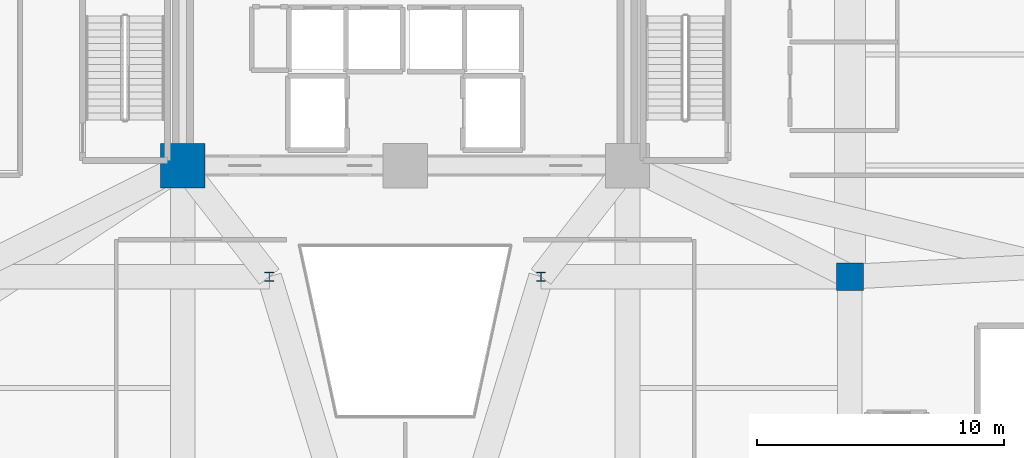
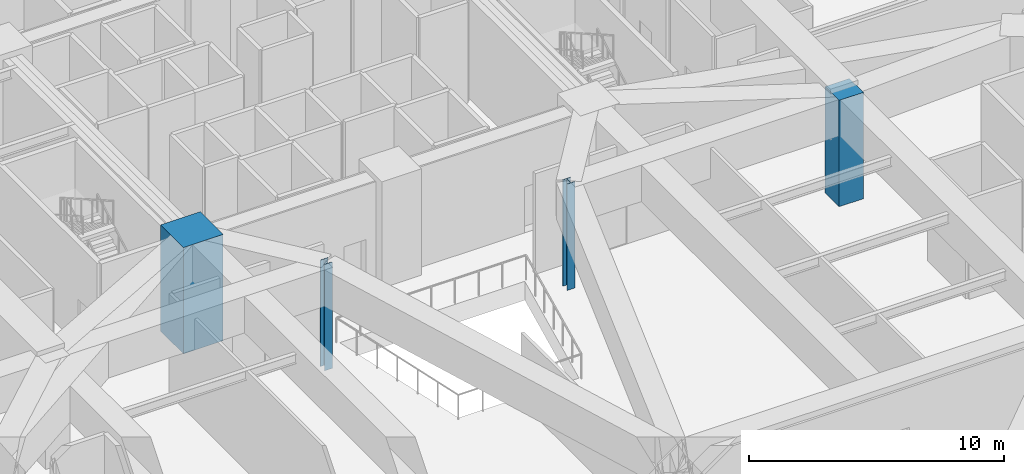
# One storey, part 2 of 14: 4 columns.
"""IFC4 building model written with IfcOpenShell, lengths in metres."""

from ifc_helpers import new_model, si_unit, direction, frame, origin, origin_2d, place, context, subcontext, project, spatial, rectangle, i_section, extrude, source, transform, mapped, material, material_profile, profile_set, type_object, element, save


model = new_model("IFC4")

# Units and contexts
model_context = context("Model", 3, precision=1e-05, world=origin(), true_north=direction((0.0, 1.0)))
body_context = subcontext(model_context, "Body", "Model", "MODEL_VIEW")
ifc_project = project(units=[si_unit("LENGTHUNIT", "METRE"), si_unit("AREAUNIT", "SQUARE_METRE"), si_unit("VOLUMEUNIT", "CUBIC_METRE"), si_unit("PLANEANGLEUNIT", "RADIAN"), si_unit("MASSUNIT", "GRAM", prefix="KILO")], contexts=[model_context])

# Site, building, storey
site_placement = place(None, origin())
site = spatial("IfcSite", under=ifc_project, at=site_placement, CompositionType="ELEMENT")
building_placement = place(site_placement, origin())
building = spatial("IfcBuilding", under=site, at=building_placement, Name="Liaohun Quay Tower", CompositionType="ELEMENT")
storey_placement = place(building_placement, frame((0.0, 0.0, 23.39990234375)))
storey = spatial("IfcBuildingStorey", under=building, at=storey_placement, Name="L06", CompositionType="ELEMENT", Elevation=23.39990234375)

# Columns
ifc_material_1 = material(Name="Concrete C60", Category="concrete")
ifc_material_profile_1 = material_profile(ifc_material_1, rectangle(XDim=1.800048828125, YDim=1.800048828125, at=origin_2d()), Name="RC1800x1800")
ifc_profile_set_1 = profile_set([ifc_material_profile_1], Name="Concrete C60")
column_type_1 = type_object("IfcColumnType", Name="COL-CC-B", PredefinedType="COLUMN", material=ifc_profile_set_1)
shared_shape_1 = source(origin(), body_context, "Body", "SweptSolid", [
    extrude(rectangle(XDim=1.800048828125, YDim=1.800048828125, at=origin_2d()), origin(), (0.0, 0.0, 1.0), 5.10009765625),
])
column_1_placement = place(storey_placement, frame((51.0, 46.5, 0.0), z_axis=(0.0, 0.0, 1.0), x_axis=(1.0, 0.0, 0.0)))
element("IfcColumn", 1, at=column_1_placement, inside=storey, type_object=column_type_1, Name="L06 Core Column CC1", PredefinedType="COLUMN", context=body_context, shape_type="MappedRepresentation", body=[
    mapped(shared_shape_1, transform((0.0, 0.0, 0.0), x_axis=(1.0, 0.0, 0.0), y_axis=(0.0, 1.0, 0.0), z_axis=(0.0, 0.0, 1.0), scale=1.0)),
])
ifc_material_2 = material(Name="Concrete C55", Category="concrete")
ifc_material_profile_2 = material_profile(ifc_material_2, rectangle(XDim=1.10009765625, YDim=1.10009765625, at=origin_2d()), Name="RC1100x1100")
ifc_profile_set_2 = profile_set([ifc_material_profile_2], Name="Concrete C55")
column_type_2 = type_object("IfcColumnType", Name="COL-POD-P", PredefinedType="COLUMN", material=ifc_profile_set_2)
shared_shape_2 = source(origin(), body_context, "Body", "SweptSolid", [
    extrude(rectangle(XDim=1.10009765625, YDim=1.10009765625, at=origin_2d()), origin(), (0.0, 0.0, 1.0), 5.10009765625),
])
column_2_placement = place(storey_placement, frame((78.0, 42.0, 0.0), z_axis=(0.0, 0.0, 1.0), x_axis=(1.0, 0.0, 0.0)))
element("IfcColumn", 2, at=column_2_placement, inside=storey, type_object=column_type_2, Name="L06 Podium Column PG08", PredefinedType="COLUMN", context=body_context, shape_type="MappedRepresentation", body=[
    mapped(shared_shape_2, transform((0.0, 0.0, 0.0), x_axis=(1.0, 0.0, 0.0), y_axis=(0.0, 1.0, 0.0), z_axis=(0.0, 0.0, 1.0), scale=1.0)),
])
ifc_material_3 = material(Name="Steel Q355D", Category="steel")
ifc_material_profile_3 = material_profile(ifc_material_3, i_section(OverallWidth=0.35009765625, OverallDepth=0.35009765625, WebThickness=0.011962890625, FlangeThickness=0.01904296875, at=origin_2d()), Name="HW350x350x12x19")
ifc_profile_set_3 = profile_set([ifc_material_profile_3], Name="Steel Q355D")
column_type_3 = type_object("IfcColumnType", Name="COL-STL-ATR", PredefinedType="COLUMN", material=ifc_profile_set_3)
shared_shape_3 = source(origin(), body_context, "Body", "SweptSolid", [
    extrude(i_section(OverallWidth=0.35009765625, OverallDepth=0.35009765625, WebThickness=0.011962890625, FlangeThickness=0.01904296875, at=origin_2d()), origin(), (0.0, 0.0, 1.0), 5.10009765625),
])
for number, where, z_axis, x_axis, name in (
    (3, (54.5, 42.0, 0.0), (0.0, 0.0, 1.0), (1.0, 0.0, 0.0), "L06 Atrium Feature Column AT1"),
    (4, (65.5, 42.0, 0.0), (0.0, 0.0, 1.0), (1.0, 0.0, 0.0), "L06 Atrium Feature Column AT2"),
):
    element("IfcColumn", number, at=place(storey_placement, frame(where, z_axis=z_axis, x_axis=x_axis)), inside=storey, type_object=column_type_3, Name=name, PredefinedType="COLUMN", context=body_context, shape_type="MappedRepresentation", body=[
        mapped(shared_shape_3, transform((0.0, 0.0, 0.0), x_axis=(1.0, 0.0, 0.0), y_axis=(0.0, 1.0, 0.0), z_axis=(0.0, 0.0, 1.0), scale=1.0)),
    ])

save(model, "model.ifc")
